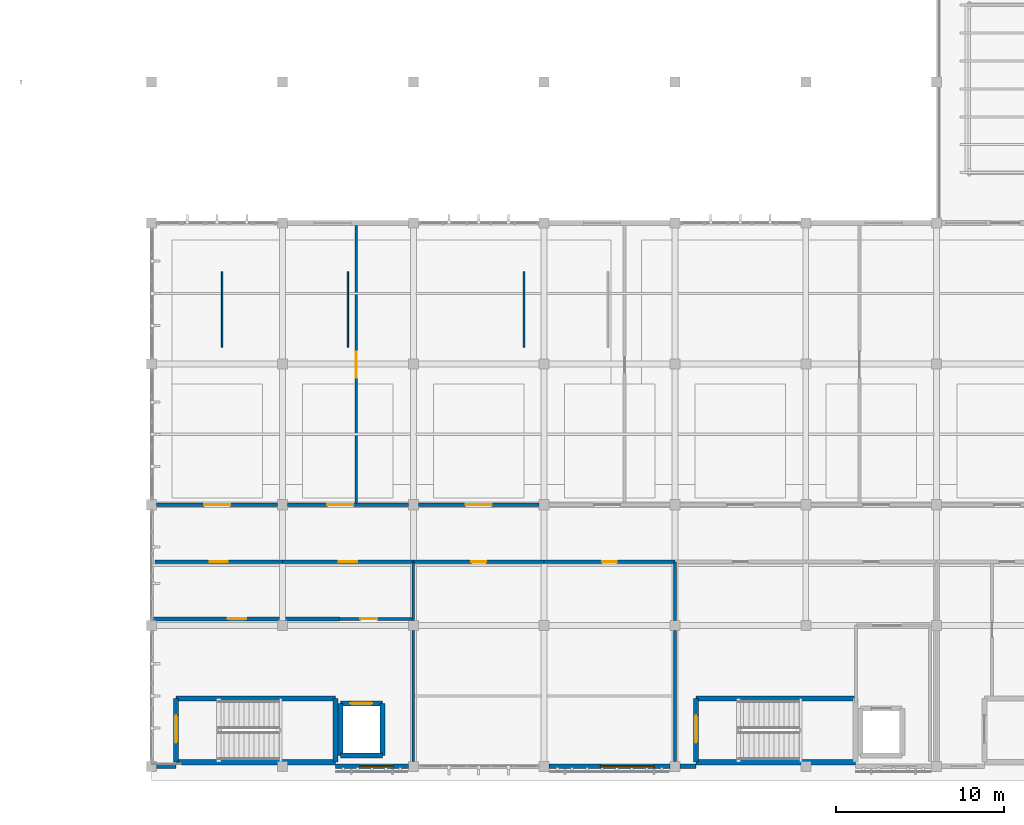
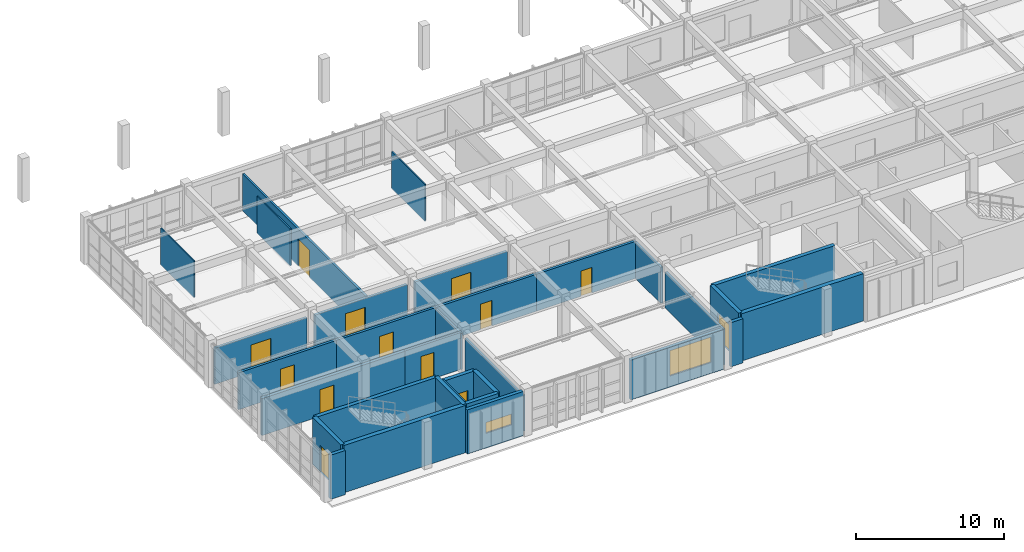
# One storey, part 42 of 67: 32 walls, 13 doors, 2 windows, 15 openings.
"""IFC4 building model written with IfcOpenShell, lengths in metres."""

from ifc_helpers import new_model, si_unit, direction, frame, frame_2d, origin, place, context, subcontext, project, spatial, rectangle, extrude, material, layer, layer_set, type_object, element, fill, save


model = new_model("IFC4")

# Units and contexts
model_context = context("Model", 3, precision=1e-05, world=origin(), true_north=direction((0.0, 1.0)))
body_context = subcontext(model_context, "Body", "Model", "MODEL_VIEW")
ifc_project = project(units=[si_unit("LENGTHUNIT", "METRE"), si_unit("AREAUNIT", "SQUARE_METRE"), si_unit("VOLUMEUNIT", "CUBIC_METRE"), si_unit("PLANEANGLEUNIT", "RADIAN"), si_unit("MASSUNIT", "GRAM", prefix="KILO")], contexts=[model_context])

# Site, building, storey
site_placement = place(None, origin())
site = spatial("IfcSite", under=ifc_project, at=site_placement, CompositionType="ELEMENT")
building_placement = place(site_placement, origin())
building = spatial("IfcBuilding", under=site, at=building_placement, Name="Tizgana Railside Sports Hall", CompositionType="ELEMENT")
storey_placement = place(building_placement, frame((0.0, 0.0, 12.0)))
storey = spatial("IfcBuildingStorey", under=building, at=storey_placement, Name="L02", CompositionType="ELEMENT", Elevation=12.0)

# Wall, opening, door
ifc_material_1 = material(Name="Acoustic gypsum stud")
ifc_layer_1 = layer(ifc_material_1, 0.159912109375, Name="Acoustic gypsum stud")
ifc_layer_set_1 = layer_set([ifc_layer_1], Name="Acoustic gypsum stud")
wall_type_1 = type_object("IfcWallType", Name="Clinic Acoustic Partition 160", PredefinedType="STANDARD", material=ifc_layer_set_1)
wall_1_placement = place(storey_placement, frame((20.0, 15.64990234375, 0.0), z_axis=(0.0, 0.0, 1.0), x_axis=(0.0, 1.0, 0.0)))
wall_1 = element("IfcWall", 1, at=wall_1_placement, inside=storey, type_object=wall_type_1, Name="L02 Partition PWAL-0144", PredefinedType="STANDARD", context=body_context, shape_type="SweptSolid", body=[
    extrude(rectangle(XDim=16.610107421875, YDim=0.159912109375, at=frame_2d((8.30517578125, 0.0))), origin(), (0.0, 0.0, 1.0), 3.050048828125),
])
opening_1_placement = place(wall_1_placement, frame((7.52490234375, 0.0, 0.0)))
opening_1 = element("IfcOpeningElement", 2, at=opening_1_placement, cuts=wall_1, Name="Opening D-0186", PredefinedType="OPENING", context=body_context, shape_type="SweptSolid", body=[
    extrude(rectangle(XDim=1.550048828125, YDim=2.25, at=frame_2d((0.77490234375, 1.125))), frame((0.0, 0.08984375, 0.0), z_axis=(0.0, -1.0, 0.0), x_axis=(1.0, 0.0, 0.0)), (0.0, 0.0, 1.0), 0.179931640625),
])
ifc_material_2 = material(Name="Acoustic perforated timber", Category="wood")
door_type_1 = type_object("IfcDoorType", Name="Studio Acoustic Double Door 1550x2250", OperationType="NOTDEFINED", PredefinedType="DOOR", material=ifc_material_2)
door_1_placement = place(opening_1_placement, origin())
door_1 = element("IfcDoor", 3, at=door_1_placement, inside=storey, type_object=door_type_1, Name="L02 Door D-0186", OperationType="DOUBLE_DOOR_SINGLE_SWING", OverallHeight=2.25, OverallWidth=1.550048828125, PredefinedType="DOOR", context=body_context, shape_type="SweptSolid", body=[
    extrude(rectangle(XDim=1.550048828125, YDim=2.25, at=frame_2d((0.77490234375, 1.125))), frame((0.0, 0.02490234375, 0.0), z_axis=(0.0, -1.0, 0.0), x_axis=(1.0, 0.0, 0.0)), (0.0, 0.0, 1.0), 0.050048828125),
])
fill(opening_1, door_1)

# Wall
ifc_material_3 = material(Name="Concrete C40/50", Category="concrete")
ifc_layer_2 = layer(ifc_material_3, 0.300048828125, Name="Concrete C40/50")
ifc_layer_set_2 = layer_set([ifc_layer_2], Name="Concrete C40/50")
wall_type_2 = type_object("IfcWallType", Name="Core Shear Wall 300", PredefinedType="SHEAR", material=ifc_layer_set_2)
wall_2_placement = place(storey_placement, frame((9.25, 4.050048828125, 0.0), z_axis=(0.0, 0.0, 1.0), x_axis=(1.0, 0.0, 0.0)))
element("IfcWall", 4, at=wall_2_placement, inside=storey, type_object=wall_type_2, Name="L02 C1 Shaft Wall N", PredefinedType="SHEAR", context=body_context, shape_type="SweptSolid", body=[
    extrude(rectangle(XDim=9.5, YDim=0.300048828125, at=frame_2d((4.75, 0.0))), origin(), (0.0, 0.0, 1.0), 3.89990234375),
])

# Wall, opening, door
wall_3_placement = place(storey_placement, frame((9.25, 0.25, 0.0), z_axis=(0.0, 0.0, 1.0), x_axis=(0.0, 1.0, 0.0)))
wall_3 = element("IfcWall", 5, at=wall_3_placement, inside=storey, type_object=wall_type_2, Name="L02 C1 Shaft Wall W", PredefinedType="SHEAR", context=body_context, shape_type="SweptSolid", body=[
    extrude(rectangle(XDim=3.800048828125, YDim=0.300048828125, at=frame_2d((1.89990234375, 0.0))), origin(), (0.0, 0.0, 1.0), 3.89990234375),
])
opening_2_placement = place(wall_3_placement, frame((1.14990234375, 0.0, 0.0)))
opening_2 = element("IfcOpeningElement", 6, at=opening_2_placement, cuts=wall_3, Name="Opening D-0040", PredefinedType="OPENING", context=body_context, shape_type="SweptSolid", body=[
    extrude(rectangle(XDim=1.64990234375, YDim=2.199951171875, at=frame_2d((0.824951171875, 1.10009765625))), frame((0.0, 0.159912109375, 0.0), z_axis=(0.0, -1.0, 0.0), x_axis=(1.0, 0.0, 0.0)), (0.0, 0.0, 1.0), 0.320068359375),
])
ifc_material_4 = material(Name="Timber fire leaf", Category="wood")
door_type_2 = type_object("IfcDoorType", Name="Stair Core Double Fire Door 1650x2200", OperationType="NOTDEFINED", PredefinedType="DOOR", material=ifc_material_4)
door_2_placement = place(opening_2_placement, origin())
door_2 = element("IfcDoor", 7, at=door_2_placement, inside=storey, type_object=door_type_2, Name="L02 Door D-0040", OperationType="DOUBLE_DOOR_SINGLE_SWING", OverallHeight=2.199951171875, OverallWidth=1.64990234375, PredefinedType="DOOR", context=body_context, shape_type="SweptSolid", body=[
    extrude(rectangle(XDim=1.64990234375, YDim=2.199951171875, at=frame_2d((0.824951171875, 1.10009765625))), frame((0.0, 0.02490234375, 0.0), z_axis=(0.0, -1.0, 0.0), x_axis=(1.0, 0.0, 0.0)), (0.0, 0.0, 1.0), 0.050048828125),
])
fill(opening_2, door_2)

# Walls
wall_4_placement = place(storey_placement, frame((18.75, 0.25, 0.0), z_axis=(0.0, 0.0, 1.0), x_axis=(0.0, 1.0, 0.0)))
element("IfcWall", 8, at=wall_4_placement, inside=storey, type_object=wall_type_2, Name="L02 C1 Shaft Wall E", PredefinedType="SHEAR", context=body_context, shape_type="SweptSolid", body=[
    extrude(rectangle(XDim=3.800048828125, YDim=0.300048828125, at=frame_2d((1.89990234375, 0.0))), origin(), (0.0, 0.0, 1.0), 3.89990234375),
])
wall_5_placement = place(storey_placement, frame((19.050048828125, 0.64990234375, 0.0), z_axis=(0.0, 0.0, 1.0), x_axis=(1.0, 0.0, 0.0)))
element("IfcWall", 9, at=wall_5_placement, inside=storey, type_object=wall_type_2, Name="L02 LF-01 Shaft Wall S", PredefinedType="SHEAR", context=body_context, shape_type="SweptSolid", body=[
    extrude(rectangle(XDim=2.5, YDim=0.300048828125, at=frame_2d((1.25, 0.0))), origin(), (0.0, 0.0, 1.0), 3.639892578125),
])

# Wall, opening, door
wall_6_placement = place(storey_placement, frame((19.050048828125, 3.75, 0.0), z_axis=(0.0, 0.0, 1.0), x_axis=(1.0, 0.0, 0.0)))
wall_6 = element("IfcWall", 10, at=wall_6_placement, inside=storey, type_object=wall_type_2, Name="L02 LF-01 Shaft Wall N", PredefinedType="SHEAR", context=body_context, shape_type="SweptSolid", body=[
    extrude(rectangle(XDim=2.5, YDim=0.300048828125, at=frame_2d((1.25, 0.0))), origin(), (0.0, 0.0, 1.0), 3.639892578125),
])
opening_3_placement = place(wall_6_placement, frame((0.60009765625, 0.0, 0.0)))
opening_3 = element("IfcOpeningElement", 11, at=opening_3_placement, cuts=wall_6, Name="Opening D-0046", PredefinedType="OPENING", context=body_context, shape_type="SweptSolid", body=[
    extrude(rectangle(XDim=1.300048828125, YDim=2.199951171875, at=frame_2d((0.64990234375, 1.10009765625))), frame((0.0, 0.159912109375, 0.0), z_axis=(0.0, -1.0, 0.0), x_axis=(1.0, 0.0, 0.0)), (0.0, 0.0, 1.0), 0.320068359375),
])
ifc_material_5 = material(Name="Brushed stainless steel", Category="steel")
door_type_3 = type_object("IfcDoorType", Name="Stretcher Lift Sliding Door 1300x2200", OperationType="NOTDEFINED", PredefinedType="DOOR", material=ifc_material_5)
door_3_placement = place(opening_3_placement, origin())
door_3 = element("IfcDoor", 12, at=door_3_placement, inside=storey, type_object=door_type_3, Name="L02 Door D-0046", OperationType="DOUBLE_DOOR_SLIDING", OverallHeight=2.199951171875, OverallWidth=1.300048828125, PredefinedType="DOOR", context=body_context, shape_type="SweptSolid", body=[
    extrude(rectangle(XDim=1.300048828125, YDim=2.199951171875, at=frame_2d((0.64990234375, 1.10009765625))), frame((0.0, 0.02490234375, 0.0), z_axis=(0.0, -1.0, 0.0), x_axis=(1.0, 0.0, 0.0)), (0.0, 0.0, 1.0), 0.050048828125),
])
fill(opening_3, door_3)

# Walls
for number, where, z_axis, x_axis, name in (
    (13, (19.050048828125, 0.64990234375, 0.0), (0.0, 0.0, 1.0), (0.0, 1.0, 0.0), "L02 LF-01 Shaft Wall W"),
    (14, (21.550048828125, 0.64990234375, 0.0), (0.0, 0.0, 1.0), (0.0, 1.0, 0.0), "L02 LF-01 Shaft Wall E"),
):
    element("IfcWall", number, at=place(storey_placement, frame(where, z_axis=z_axis, x_axis=x_axis)), inside=storey, type_object=wall_type_2, Name=name, PredefinedType="SHEAR", context=body_context, shape_type="SweptSolid", body=[
        extrude(rectangle(XDim=3.10009765625, YDim=0.300048828125, at=frame_2d((1.550048828125, 0.0))), origin(), (0.0, 0.0, 1.0), 3.639892578125),
    ])
wall_7_placement = place(storey_placement, frame((40.25, 4.050048828125, 0.0), z_axis=(0.0, 0.0, 1.0), x_axis=(1.0, 0.0, 0.0)))
element("IfcWall", 15, at=wall_7_placement, inside=storey, type_object=wall_type_2, Name="L02 C2 Shaft Wall N", PredefinedType="SHEAR", context=body_context, shape_type="SweptSolid", body=[
    extrude(rectangle(XDim=9.5, YDim=0.300048828125, at=frame_2d((4.75, 0.0))), origin(), (0.0, 0.0, 1.0), 3.89990234375),
])

# Wall, opening, door
wall_8_placement = place(storey_placement, frame((40.25, 0.25, 0.0), z_axis=(0.0, 0.0, 1.0), x_axis=(0.0, 1.0, 0.0)))
wall_8 = element("IfcWall", 16, at=wall_8_placement, inside=storey, type_object=wall_type_2, Name="L02 C2 Shaft Wall W", PredefinedType="SHEAR", context=body_context, shape_type="SweptSolid", body=[
    extrude(rectangle(XDim=3.800048828125, YDim=0.300048828125, at=frame_2d((1.89990234375, 0.0))), origin(), (0.0, 0.0, 1.0), 3.89990234375),
])
opening_4_placement = place(wall_8_placement, frame((1.14990234375, 0.0, 0.0)))
opening_4 = element("IfcOpeningElement", 17, at=opening_4_placement, cuts=wall_8, Name="Opening D-0053", PredefinedType="OPENING", context=body_context, shape_type="SweptSolid", body=[
    extrude(rectangle(XDim=1.64990234375, YDim=2.199951171875, at=frame_2d((0.824951171875, 1.10009765625))), frame((0.0, 0.159912109375, 0.0), z_axis=(0.0, -1.0, 0.0), x_axis=(1.0, 0.0, 0.0)), (0.0, 0.0, 1.0), 0.320068359375),
])
door_4_placement = place(opening_4_placement, origin())
door_4 = element("IfcDoor", 18, at=door_4_placement, inside=storey, type_object=door_type_2, Name="L02 Door D-0053", OperationType="DOUBLE_DOOR_SINGLE_SWING", OverallHeight=2.199951171875, OverallWidth=1.64990234375, PredefinedType="DOOR", context=body_context, shape_type="SweptSolid", body=[
    extrude(rectangle(XDim=1.64990234375, YDim=2.199951171875, at=frame_2d((0.824951171875, 1.10009765625))), frame((0.0, 0.02490234375, 0.0), z_axis=(0.0, -1.0, 0.0), x_axis=(1.0, 0.0, 0.0)), (0.0, 0.0, 1.0), 0.050048828125),
])
fill(opening_4, door_4)

ifc_material_6 = material(Name="Masonry blockwork", Category="masonry")
ifc_layer_3 = layer(ifc_material_6, 0.199951171875, Name="Masonry blockwork")
ifc_layer_set_3 = layer_set([ifc_layer_3], Name="Masonry blockwork")
wall_type_3 = type_object("IfcWallType", Name="Corridor Compartment Partition 200", PredefinedType="STANDARD", material=ifc_layer_set_3)
wall_9_placement = place(storey_placement, frame((8.10009765625, 15.60009765625, 0.0), z_axis=(0.0, 0.0, 1.0), x_axis=(1.0, 0.0, 0.0)))
wall_9 = element("IfcWall", 19, at=wall_9_placement, inside=storey, type_object=wall_type_3, Name="L02 Partition PWAL-0105", PredefinedType="STANDARD", context=body_context, shape_type="SweptSolid", body=[
    extrude(rectangle(XDim=7.199951171875, YDim=0.199951171875, at=frame_2d((3.60009765625, 0.0))), origin(), (0.0, 0.0, 1.0), 2.970947265625),
])
opening_5_placement = place(wall_9_placement, frame((2.824951171875, 0.0, 0.0)))
opening_5 = element("IfcOpeningElement", 20, at=opening_5_placement, cuts=wall_9, Name="Opening D-0161", PredefinedType="OPENING", context=body_context, shape_type="SweptSolid", body=[
    extrude(rectangle(XDim=1.550048828125, YDim=2.25, at=frame_2d((0.77490234375, 1.125))), frame((0.0, 0.10986328125, 0.0), z_axis=(0.0, -1.0, 0.0), x_axis=(1.0, 0.0, 0.0)), (0.0, 0.0, 1.0), 0.219970703125),
])
door_5_placement = place(opening_5_placement, origin())
door_5 = element("IfcDoor", 21, at=door_5_placement, inside=storey, type_object=door_type_1, Name="L02 Door D-0161", OperationType="DOUBLE_DOOR_SINGLE_SWING", OverallHeight=2.25, OverallWidth=1.550048828125, PredefinedType="DOOR", context=body_context, shape_type="SweptSolid", body=[
    extrude(rectangle(XDim=1.550048828125, YDim=2.25, at=frame_2d((0.77490234375, 1.125))), frame((0.0, 0.02490234375, 0.0), z_axis=(0.0, -1.0, 0.0), x_axis=(1.0, 0.0, 0.0)), (0.0, 0.0, 1.0), 0.050048828125),
])
fill(opening_5, door_5)

wall_10_placement = place(storey_placement, frame((8.0, 12.199951171875, 0.0), z_axis=(0.0, 0.0, 1.0), x_axis=(1.0, 0.0, 0.0)))
wall_10 = element("IfcWall", 22, at=wall_10_placement, inside=storey, type_object=wall_type_3, Name="L02 Partition PWAL-0106", PredefinedType="STANDARD", context=body_context, shape_type="SweptSolid", body=[
    extrude(rectangle(XDim=7.60009765625, YDim=0.199951171875, at=frame_2d((3.800048828125, 0.0))), origin(), (0.0, 0.0, 1.0), 3.050048828125),
])
opening_6_placement = place(wall_10_placement, frame((3.25, 0.0, 0.0)))
opening_6 = element("IfcOpeningElement", 23, at=opening_6_placement, cuts=wall_10, Name="Opening D-0162", PredefinedType="OPENING", context=body_context, shape_type="SweptSolid", body=[
    extrude(rectangle(XDim=1.10009765625, YDim=2.199951171875, at=frame_2d((0.550048828125, 1.10009765625))), frame((0.0, 0.10986328125, 0.0), z_axis=(0.0, -1.0, 0.0), x_axis=(1.0, 0.0, 0.0)), (0.0, 0.0, 1.0), 0.219970703125),
])
door_type_4 = type_object("IfcDoorType", Name="Firefighting Lobby Fire Door 1100x2200", OperationType="NOTDEFINED", PredefinedType="DOOR", material=ifc_material_4)
door_6_placement = place(opening_6_placement, origin())
door_6 = element("IfcDoor", 24, at=door_6_placement, inside=storey, type_object=door_type_4, Name="L02 Door D-0162", OperationType="SINGLE_SWING_LEFT", OverallHeight=2.199951171875, OverallWidth=1.10009765625, PredefinedType="DOOR", context=body_context, shape_type="SweptSolid", body=[
    extrude(rectangle(XDim=1.10009765625, YDim=2.199951171875, at=frame_2d((0.550048828125, 1.10009765625))), frame((0.0, 0.02490234375, 0.0), z_axis=(0.0, -1.0, 0.0), x_axis=(1.0, 0.0, 0.0)), (0.0, 0.0, 1.0), 0.050048828125),
])
fill(opening_6, door_6)

wall_11_placement = place(storey_placement, frame((15.89990234375, 15.60009765625, 0.0), z_axis=(0.0, 0.0, 1.0), x_axis=(1.0, 0.0, 0.0)))
wall_11 = element("IfcWall", 25, at=wall_11_placement, inside=storey, type_object=wall_type_3, Name="L02 Partition PWAL-0107", PredefinedType="STANDARD", context=body_context, shape_type="SweptSolid", body=[
    extrude(rectangle(XDim=7.2001953125, YDim=0.199951171875, at=frame_2d((3.60009765625, 0.0))), origin(), (0.0, 0.0, 1.0), 2.970947265625),
])
opening_7_placement = place(wall_11_placement, frame((2.375, 0.0, 0.0)))
opening_7 = element("IfcOpeningElement", 26, at=opening_7_placement, cuts=wall_11, Name="Opening D-0163", PredefinedType="OPENING", context=body_context, shape_type="SweptSolid", body=[
    extrude(rectangle(XDim=1.550048828125, YDim=2.25, at=frame_2d((0.77490234375, 1.125))), frame((0.0, 0.10986328125, 0.0), z_axis=(0.0, -1.0, 0.0), x_axis=(1.0, 0.0, 0.0)), (0.0, 0.0, 1.0), 0.219970703125),
])
door_7_placement = place(opening_7_placement, origin())
door_7 = element("IfcDoor", 27, at=door_7_placement, inside=storey, type_object=door_type_1, Name="L02 Door D-0163", OperationType="DOUBLE_DOOR_SINGLE_SWING", OverallHeight=2.25, OverallWidth=1.550048828125, PredefinedType="DOOR", context=body_context, shape_type="SweptSolid", body=[
    extrude(rectangle(XDim=1.550048828125, YDim=2.25, at=frame_2d((0.77490234375, 1.125))), frame((0.0, 0.02490234375, 0.0), z_axis=(0.0, -1.0, 0.0), x_axis=(1.0, 0.0, 0.0)), (0.0, 0.0, 1.0), 0.050048828125),
])
fill(opening_7, door_7)

wall_12_placement = place(storey_placement, frame((15.60009765625, 12.199951171875, 0.0), z_axis=(0.0, 0.0, 1.0), x_axis=(1.0, 0.0, 0.0)))
wall_12 = element("IfcWall", 28, at=wall_12_placement, inside=storey, type_object=wall_type_3, Name="L02 Partition PWAL-0108", PredefinedType="STANDARD", context=body_context, shape_type="SweptSolid", body=[
    extrude(rectangle(XDim=7.7998046875, YDim=0.199951171875, at=frame_2d((3.89990234375, 0.0))), origin(), (0.0, 0.0, 1.0), 3.050048828125),
])
opening_8_placement = place(wall_12_placement, frame((3.35009765625, 0.0, 0.0)))
opening_8 = element("IfcOpeningElement", 29, at=opening_8_placement, cuts=wall_12, Name="Opening D-0164", PredefinedType="OPENING", context=body_context, shape_type="SweptSolid", body=[
    extrude(rectangle(XDim=1.10009765625, YDim=2.199951171875, at=frame_2d((0.550048828125, 1.10009765625))), frame((0.0, 0.10986328125, 0.0), z_axis=(0.0, -1.0, 0.0), x_axis=(1.0, 0.0, 0.0)), (0.0, 0.0, 1.0), 0.219970703125),
])
door_8_placement = place(opening_8_placement, origin())
door_8 = element("IfcDoor", 30, at=door_8_placement, inside=storey, type_object=door_type_4, Name="L02 Door D-0164", OperationType="SINGLE_SWING_RIGHT", OverallHeight=2.199951171875, OverallWidth=1.10009765625, PredefinedType="DOOR", context=body_context, shape_type="SweptSolid", body=[
    extrude(rectangle(XDim=1.10009765625, YDim=2.199951171875, at=frame_2d((0.550048828125, 1.10009765625))), frame((0.0, 0.02490234375, 0.0), z_axis=(0.0, -1.0, 0.0), x_axis=(1.0, 0.0, 0.0)), (0.0, 0.0, 1.0), 0.050048828125),
])
fill(opening_8, door_8)

wall_13_placement = place(storey_placement, frame((23.699951171875, 15.60009765625, 0.0), z_axis=(0.0, 0.0, 1.0), x_axis=(1.0, 0.0, 0.0)))
wall_13 = element("IfcWall", 31, at=wall_13_placement, inside=storey, type_object=wall_type_3, Name="L02 Partition PWAL-0109", PredefinedType="STANDARD", context=body_context, shape_type="SweptSolid", body=[
    extrude(rectangle(XDim=7.199951171875, YDim=0.199951171875, at=frame_2d((3.60009765625, 0.0))), origin(), (0.0, 0.0, 1.0), 2.970947265625),
])
opening_9_placement = place(wall_13_placement, frame((2.824951171875, 0.0, 0.0)))
opening_9 = element("IfcOpeningElement", 32, at=opening_9_placement, cuts=wall_13, Name="Opening D-0165", PredefinedType="OPENING", context=body_context, shape_type="SweptSolid", body=[
    extrude(rectangle(XDim=1.550048828125, YDim=2.25, at=frame_2d((0.77490234375, 1.125))), frame((0.0, 0.10986328125, 0.0), z_axis=(0.0, -1.0, 0.0), x_axis=(1.0, 0.0, 0.0)), (0.0, 0.0, 1.0), 0.219970703125),
])
door_9_placement = place(opening_9_placement, origin())
door_9 = element("IfcDoor", 33, at=door_9_placement, inside=storey, type_object=door_type_1, Name="L02 Door D-0165", OperationType="DOUBLE_DOOR_SINGLE_SWING", OverallHeight=2.25, OverallWidth=1.550048828125, PredefinedType="DOOR", context=body_context, shape_type="SweptSolid", body=[
    extrude(rectangle(XDim=1.550048828125, YDim=2.25, at=frame_2d((0.77490234375, 1.125))), frame((0.0, 0.02490234375, 0.0), z_axis=(0.0, -1.0, 0.0), x_axis=(1.0, 0.0, 0.0)), (0.0, 0.0, 1.0), 0.050048828125),
])
fill(opening_9, door_9)

wall_14_placement = place(storey_placement, frame((23.39990234375, 12.199951171875, 0.0), z_axis=(0.0, 0.0, 1.0), x_axis=(1.0, 0.0, 0.0)))
wall_14 = element("IfcWall", 34, at=wall_14_placement, inside=storey, type_object=wall_type_3, Name="L02 Partition PWAL-0110", PredefinedType="STANDARD", context=body_context, shape_type="SweptSolid", body=[
    extrude(rectangle(XDim=7.800048828125, YDim=0.199951171875, at=frame_2d((3.89990234375, 0.0))), origin(), (0.0, 0.0, 1.0), 3.050048828125),
])
opening_10_placement = place(wall_14_placement, frame((3.4599609375, 0.0, 0.0)))
opening_10 = element("IfcOpeningElement", 35, at=opening_10_placement, cuts=wall_14, Name="Opening D-0166", PredefinedType="OPENING", context=body_context, shape_type="SweptSolid", body=[
    extrude(rectangle(XDim=0.8798828125, YDim=2.10009765625, at=frame_2d((0.43994140625, 1.050048828125))), frame((0.0, 0.10986328125, 0.0), z_axis=(0.0, -1.0, 0.0), x_axis=(1.0, 0.0, 0.0)), (0.0, 0.0, 1.0), 0.219970703125),
])
ifc_material_7 = material(Name="Solid beech timber", Category="wood")
door_type_5 = type_object("IfcDoorType", Name="Public & Staff WC Door 880x2100", OperationType="NOTDEFINED", PredefinedType="DOOR", material=ifc_material_7)
door_10_placement = place(opening_10_placement, origin())
door_10 = element("IfcDoor", 36, at=door_10_placement, inside=storey, type_object=door_type_5, Name="L02 Door D-0166", OperationType="SINGLE_SWING_LEFT", OverallHeight=2.10009765625, OverallWidth=0.8798828125, PredefinedType="DOOR", context=body_context, shape_type="SweptSolid", body=[
    extrude(rectangle(XDim=0.8798828125, YDim=2.10009765625, at=frame_2d((0.43994140625, 1.050048828125))), frame((0.0, 0.02490234375, 0.0), z_axis=(0.0, -1.0, 0.0), x_axis=(1.0, 0.0, 0.0)), (0.0, 0.0, 1.0), 0.050048828125),
])
fill(opening_10, door_10)

wall_15_placement = place(storey_placement, frame((31.199951171875, 12.199951171875, 0.0), z_axis=(0.0, 0.0, 1.0), x_axis=(1.0, 0.0, 0.0)))
wall_15 = element("IfcWall", 37, at=wall_15_placement, inside=storey, type_object=wall_type_3, Name="L02 Partition PWAL-0112", PredefinedType="STANDARD", context=body_context, shape_type="SweptSolid", body=[
    extrude(rectangle(XDim=7.800048828125, YDim=0.199951171875, at=frame_2d((3.89990234375, 0.0))), origin(), (0.0, 0.0, 1.0), 3.050048828125),
])
opening_11_placement = place(wall_15_placement, frame((3.4599609375, 0.0, 0.0)))
opening_11 = element("IfcOpeningElement", 38, at=opening_11_placement, cuts=wall_15, Name="Opening D-0168", PredefinedType="OPENING", context=body_context, shape_type="SweptSolid", body=[
    extrude(rectangle(XDim=0.8798828125, YDim=2.10009765625, at=frame_2d((0.43994140625, 1.050048828125))), frame((0.0, 0.10986328125, 0.0), z_axis=(0.0, -1.0, 0.0), x_axis=(1.0, 0.0, 0.0)), (0.0, 0.0, 1.0), 0.219970703125),
])
door_11_placement = place(opening_11_placement, origin())
door_11 = element("IfcDoor", 39, at=door_11_placement, inside=storey, type_object=door_type_5, Name="L02 Door D-0168", OperationType="SINGLE_SWING_RIGHT", OverallHeight=2.10009765625, OverallWidth=0.8798828125, PredefinedType="DOOR", context=body_context, shape_type="SweptSolid", body=[
    extrude(rectangle(XDim=0.8798828125, YDim=2.10009765625, at=frame_2d((0.43994140625, 1.050048828125))), frame((0.0, 0.02490234375, 0.0), z_axis=(0.0, -1.0, 0.0), x_axis=(1.0, 0.0, 0.0)), (0.0, 0.0, 1.0), 0.050048828125),
])
fill(opening_11, door_11)

# Walls
ifc_material_8 = material(Name="Concrete C35/45", Category="concrete")
ifc_layer_4 = layer(ifc_material_8, 0.340087890625, Name="Concrete C35/45")
ifc_layer_set_4 = layer_set([ifc_layer_4], Name="Concrete C35/45")
wall_type_4 = type_object("IfcWallType", Name="Exterior Insulated Concrete Wall 340", PredefinedType="STANDARD", material=ifc_layer_set_4)
for number, where, z_axis, x_axis, name in (
    (40, (18.75, 0.25, 0.0), (0.0, 0.0, 1.0), (-1.0, 0.0, 0.0), "L02 C1 Shaft Wall S"),
    (41, (49.75, 0.25, 0.0), (0.0, 0.0, 1.0), (-1.0, 0.0, 0.0), "L02 C2 Shaft Wall S"),
):
    element("IfcWall", number, at=place(storey_placement, frame(where, z_axis=z_axis, x_axis=x_axis)), inside=storey, type_object=wall_type_4, Name=name, PredefinedType="STANDARD", context=body_context, shape_type="SweptSolid", body=[
        extrude(rectangle(XDim=9.5, YDim=0.340087890625, at=frame_2d((4.75, 0.0))), origin(), (0.0, 0.0, 1.0), 3.89990234375),
    ])
ifc_material_9 = material(Name="Precast concrete C40/50", Category="concrete")
ifc_layer_5 = layer(ifc_material_9, 0.27001953125, Name="Precast concrete C40/50")
ifc_layer_set_5 = layer_set([ifc_layer_5], Name="Precast concrete C40/50")
wall_type_5 = type_object("IfcWallType", Name="Exterior Studio Facade Wall 270", PredefinedType="STANDARD", material=ifc_layer_set_5)
wall_16_placement = place(storey_placement, frame((9.2451171875, 0.0, 0.0), z_axis=(0.0, 0.0, 1.0), x_axis=(-1.0, 0.0, 0.0)))
element("IfcWall", 42, at=wall_16_placement, inside=storey, type_object=wall_type_5, Name="L02 Exterior Wall EWAL-0095", PredefinedType="STANDARD", context=body_context, shape_type="SweptSolid", body=[
    extrude(rectangle(XDim=1.14501953125, YDim=0.27001953125, at=frame_2d((0.572509765625, 0.0))), origin(), (0.0, 0.0, 1.0), 3.639892578125),
])

# Wall, opening, window
wall_17_placement = place(storey_placement, frame((23.110107421875, 0.0, 0.0), z_axis=(0.0, 0.0, 1.0), x_axis=(-1.0, 0.0, 0.0)))
wall_17 = element("IfcWall", 43, at=wall_17_placement, inside=storey, type_object=wall_type_5, Name="L02 Exterior Wall EWAL-0096", PredefinedType="STANDARD", context=body_context, shape_type="SweptSolid", body=[
    extrude(rectangle(XDim=4.355224609375, YDim=0.27001953125, at=frame_2d((2.177734375, 0.0))), origin(), (0.0, 0.0, 1.0), 3.639892578125),
])
opening_12_placement = place(wall_17_placement, frame((0.909912109375, 0.0, 1.199951171875)))
opening_12 = element("IfcOpeningElement", 44, at=opening_12_placement, cuts=wall_17, Name="Opening W-0069", PredefinedType="OPENING", context=body_context, shape_type="SweptSolid", body=[
    extrude(rectangle(XDim=2.0, YDim=0.89990234375, at=frame_2d((1.0, 0.449951171875))), frame((0.0, 0.14501953125, 0.0), z_axis=(0.0, -1.0, 0.0), x_axis=(1.0, 0.0, 0.0)), (0.0, 0.0, 1.0), 0.2900390625),
])
ifc_material_10 = material(Name="Double low-E laminated glass", Category="glass")
window_type_1 = type_object("IfcWindowType", Name="Changing High-Level Window 2000x900", PartitioningType="SINGLE_PANEL", PredefinedType="WINDOW", material=ifc_material_10)
window_1_placement = place(opening_12_placement, origin())
window_1 = element("IfcWindow", 45, at=window_1_placement, inside=storey, type_object=window_type_1, Name="L02 Window W-0069", OverallHeight=0.89990234375, OverallWidth=2.0, PartitioningType="SINGLE_PANEL", PredefinedType="WINDOW", context=body_context, shape_type="SweptSolid", body=[
    extrude(rectangle(XDim=2.0, YDim=0.89990234375, at=frame_2d((1.0, 0.449951171875))), frame((0.0, 0.030029296875, 0.0), z_axis=(0.0, -1.0, 0.0), x_axis=(1.0, 0.0, 0.0)), (0.0, 0.0, 1.0), 0.06005859375),
])
fill(opening_12, window_1)

wall_18_placement = place(storey_placement, frame((38.7099609375, 0.0, 0.0), z_axis=(0.0, 0.0, 1.0), x_axis=(-1.0, 0.0, 0.0)))
wall_18 = element("IfcWall", 46, at=wall_18_placement, inside=storey, type_object=wall_type_5, Name="L02 Exterior Wall EWAL-0097", PredefinedType="STANDARD", context=body_context, shape_type="SweptSolid", body=[
    extrude(rectangle(XDim=7.219970703125, YDim=0.27001953125, at=frame_2d((3.60986328125, 0.0))), origin(), (0.0, 0.0, 1.0), 3.27099609375),
])
opening_13_placement = place(wall_18_placement, frame((0.9599609375, 0.0, 0.89990234375)))
opening_13 = element("IfcOpeningElement", 47, at=opening_13_placement, cuts=wall_18, Name="Opening W-0070", PredefinedType="OPENING", context=body_context, shape_type="SweptSolid", body=[
    extrude(rectangle(XDim=3.199951171875, YDim=2.10009765625, at=frame_2d((1.60009765625, 1.050048828125))), frame((0.0, 0.14501953125, 0.0), z_axis=(0.0, -1.0, 0.0), x_axis=(1.0, 0.0, 0.0)), (0.0, 0.0, 1.0), 0.2900390625),
])
window_type_2 = type_object("IfcWindowType", Name="Studio Wide Window 3200x2100", PartitioningType="SINGLE_PANEL", PredefinedType="WINDOW", material=ifc_material_10)
window_2_placement = place(opening_13_placement, origin())
window_2 = element("IfcWindow", 48, at=window_2_placement, inside=storey, type_object=window_type_2, Name="L02 Window W-0070", OverallHeight=2.10009765625, OverallWidth=3.199951171875, PartitioningType="SINGLE_PANEL", PredefinedType="WINDOW", context=body_context, shape_type="SweptSolid", body=[
    extrude(rectangle(XDim=3.199951171875, YDim=2.10009765625, at=frame_2d((1.60009765625, 1.050048828125))), frame((0.0, 0.030029296875, 0.0), z_axis=(0.0, -1.0, 0.0), x_axis=(1.0, 0.0, 0.0)), (0.0, 0.0, 1.0), 0.06005859375),
])
fill(opening_13, window_2)

# Wall
wall_19_placement = place(storey_placement, frame((40.2451171875, 0.0, 0.0), z_axis=(0.0, 0.0, 1.0), x_axis=(-1.0, 0.0, 0.0)))
element("IfcWall", 49, at=wall_19_placement, inside=storey, type_object=wall_type_5, Name="L02 Exterior Wall EWAL-0098", PredefinedType="STANDARD", context=body_context, shape_type="SweptSolid", body=[
    extrude(rectangle(XDim=0.955078125, YDim=0.27001953125, at=frame_2d((0.4775390625, 0.0))), origin(), (0.0, 0.0, 1.0), 3.639892578125),
])

# Wall, opening, door
ifc_layer_6 = layer(ifc_material_8, 0.239990234375, Name="Concrete C35/45")
ifc_layer_set_6 = layer_set([ifc_layer_6], Name="Concrete C35/45")
wall_type_6 = type_object("IfcWallType", Name="Firefighting Lobby Wall 240", PredefinedType="STANDARD", material=ifc_layer_set_6)
wall_20_placement = place(storey_placement, frame((7.844970703125, 8.800048828125, 0.0), z_axis=(0.0, 0.0, 1.0), x_axis=(1.0, 0.0, 0.0)))
wall_20 = element("IfcWall", 50, at=wall_20_placement, inside=storey, type_object=wall_type_6, Name="L02 Partition PWAL-0302", PredefinedType="STANDARD", context=body_context, shape_type="SweptSolid", body=[
    extrude(rectangle(XDim=11.155029296875, YDim=0.239990234375, at=frame_2d((5.57763671875, 0.0))), origin(), (0.0, 0.0, 1.0), 3.050048828125),
])
opening_14_placement = place(wall_20_placement, frame((4.5048828125, 0.0, 0.0)))
opening_14 = element("IfcOpeningElement", 51, at=opening_14_placement, cuts=wall_20, Name="Opening D-0280", PredefinedType="OPENING", context=body_context, shape_type="SweptSolid", body=[
    extrude(rectangle(XDim=1.10009765625, YDim=2.199951171875, at=frame_2d((0.550048828125, 1.10009765625))), frame((0.0, 0.1298828125, 0.0), z_axis=(0.0, -1.0, 0.0), x_axis=(1.0, 0.0, 0.0)), (0.0, 0.0, 1.0), 0.260009765625),
])
door_12_placement = place(opening_14_placement, origin())
door_12 = element("IfcDoor", 52, at=door_12_placement, inside=storey, type_object=door_type_4, Name="L02 Door D-0280", OperationType="SINGLE_SWING_LEFT", OverallHeight=2.199951171875, OverallWidth=1.10009765625, PredefinedType="DOOR", context=body_context, shape_type="SweptSolid", body=[
    extrude(rectangle(XDim=1.10009765625, YDim=2.199951171875, at=frame_2d((0.550048828125, 1.10009765625))), frame((0.0, 0.02490234375, 0.0), z_axis=(0.0, -1.0, 0.0), x_axis=(1.0, 0.0, 0.0)), (0.0, 0.0, 1.0), 0.050048828125),
])
fill(opening_14, door_12)

# Walls
ifc_layer_7 = layer(ifc_material_1, 0.10009765625, Name="Acoustic gypsum stud")
ifc_layer_set_7 = layer_set([ifc_layer_7], Name="Acoustic gypsum stud")
wall_type_7 = type_object("IfcWallType", Name="Locker Alcove Partition 100", PredefinedType="STANDARD", material=ifc_layer_set_7)
for number, where, z_axis, x_axis, name in (
    (53, (12.0, 25.0, 0.0), (0.0, 0.0, 1.0), (0.0, 1.0, 0.0), "L02 Partition PWAL-0146"),
    (54, (19.5, 25.0, 0.0), (0.0, 0.0, 1.0), (0.0, 1.0, 0.0), "L02 Partition PWAL-0147"),
    (55, (30.0, 25.0, 0.0), (0.0, 0.0, 1.0), (0.0, 1.0, 0.0), "L02 Partition PWAL-0148"),
):
    element("IfcWall", number, at=place(storey_placement, frame(where, z_axis=z_axis, x_axis=x_axis)), inside=storey, type_object=wall_type_7, Name=name, PredefinedType="STANDARD", context=body_context, shape_type="SweptSolid", body=[
        extrude(rectangle(XDim=4.5, YDim=0.10009765625, at=frame_2d((2.25, 0.0))), origin(), (0.0, 0.0, 1.0), 3.050048828125),
    ])

# Wall, opening, door
ifc_layer_8 = layer(ifc_material_6, 0.179931640625, Name="Masonry blockwork")
ifc_layer_set_8 = layer_set([ifc_layer_8], Name="Masonry blockwork")
wall_type_8 = type_object("IfcWallType", Name="Riser and Shaft Wall 180", PredefinedType="STANDARD", material=ifc_layer_set_8)
wall_21_placement = place(storey_placement, frame((19.0, 8.800048828125, 0.0), z_axis=(0.0, 0.0, 1.0), x_axis=(1.0, 0.0, 0.0)))
wall_21 = element("IfcWall", 56, at=wall_21_placement, inside=storey, type_object=wall_type_8, Name="L02 Partition PWAL-0303", PredefinedType="STANDARD", context=body_context, shape_type="SweptSolid", body=[
    extrude(rectangle(XDim=4.31005859375, YDim=0.179931640625, at=frame_2d((2.155029296875, 0.0))), origin(), (0.0, 0.0, 1.0), 3.050048828125),
])
opening_15_placement = place(wall_21_placement, frame((1.239990234375, 0.0, 0.0)))
opening_15 = element("IfcOpeningElement", 57, at=opening_15_placement, cuts=wall_21, Name="Opening D-0281", PredefinedType="OPENING", context=body_context, shape_type="SweptSolid", body=[
    extrude(rectangle(XDim=1.02001953125, YDim=2.14990234375, at=frame_2d((0.510009765625, 1.074951171875))), frame((0.0, 0.099853515625, 0.0), z_axis=(0.0, -1.0, 0.0), x_axis=(1.0, 0.0, 0.0)), (0.0, 0.0, 1.0), 0.199951171875),
])
door_type_6 = type_object("IfcDoorType", Name="Accessible Changing & WC Door 1020x2150", OperationType="NOTDEFINED", PredefinedType="DOOR", material=ifc_material_7)
door_13_placement = place(opening_15_placement, origin())
door_13 = element("IfcDoor", 58, at=door_13_placement, inside=storey, type_object=door_type_6, Name="L02 Door D-0281", OperationType="SINGLE_SWING_RIGHT", OverallHeight=2.14990234375, OverallWidth=1.02001953125, PredefinedType="DOOR", context=body_context, shape_type="SweptSolid", body=[
    extrude(rectangle(XDim=1.02001953125, YDim=2.14990234375, at=frame_2d((0.510009765625, 1.074951171875))), frame((0.0, 0.02490234375, 0.0), z_axis=(0.0, -1.0, 0.0), x_axis=(1.0, 0.0, 0.0)), (0.0, 0.0, 1.0), 0.050048828125),
])
fill(opening_15, door_13)

# Walls
ifc_layer_9 = layer(ifc_material_1, 0.169921875, Name="Acoustic gypsum stud")
ifc_layer_set_9 = layer_set([ifc_layer_9], Name="Acoustic gypsum stud")
wall_type_9 = type_object("IfcWallType", Name="Studio Acoustic Partition 170", PredefinedType="STANDARD", material=ifc_layer_set_9)
wall_22_placement = place(storey_placement, frame((23.39990234375, 0.300048828125, 0.0), z_axis=(0.0, 0.0, 1.0), x_axis=(0.0, 1.0, 0.0)))
element("IfcWall", 59, at=wall_22_placement, inside=storey, type_object=wall_type_9, Name="L02 Partition PWAL-0129", PredefinedType="STANDARD", context=body_context, shape_type="SweptSolid", body=[
    extrude(rectangle(XDim=7.800048828125, YDim=0.169921875, at=frame_2d((3.89990234375, 0.0))), origin(), (0.0, 0.0, 1.0), 2.970947265625),
])
wall_23_placement = place(storey_placement, frame((23.39990234375, 8.699951171875, 0.0), z_axis=(0.0, 0.0, 1.0), x_axis=(0.0, 1.0, 0.0)))
element("IfcWall", 60, at=wall_23_placement, inside=storey, type_object=wall_type_9, Name="L02 Partition PWAL-0130", PredefinedType="STANDARD", context=body_context, shape_type="SweptSolid", body=[
    extrude(rectangle(XDim=3.5, YDim=0.169921875, at=frame_2d((1.75, 0.0))), origin(), (0.0, 0.0, 1.0), 2.970947265625),
])
wall_24_placement = place(storey_placement, frame((39.0, 0.300048828125, 0.0), z_axis=(0.0, 0.0, 1.0), x_axis=(0.0, 1.0, 0.0)))
element("IfcWall", 61, at=wall_24_placement, inside=storey, type_object=wall_type_9, Name="L02 Partition PWAL-0131", PredefinedType="STANDARD", context=body_context, shape_type="SweptSolid", body=[
    extrude(rectangle(XDim=7.800048828125, YDim=0.169921875, at=frame_2d((3.89990234375, 0.0))), origin(), (0.0, 0.0, 1.0), 2.970947265625),
])
wall_25_placement = place(storey_placement, frame((39.0, 8.699951171875, 0.0), z_axis=(0.0, 0.0, 1.0), x_axis=(0.0, 1.0, 0.0)))
element("IfcWall", 62, at=wall_25_placement, inside=storey, type_object=wall_type_9, Name="L02 Partition PWAL-0132", PredefinedType="STANDARD", context=body_context, shape_type="SweptSolid", body=[
    extrude(rectangle(XDim=3.5, YDim=0.169921875, at=frame_2d((1.75, 0.0))), origin(), (0.0, 0.0, 1.0), 2.970947265625),
])

save(model, "model.ifc")
